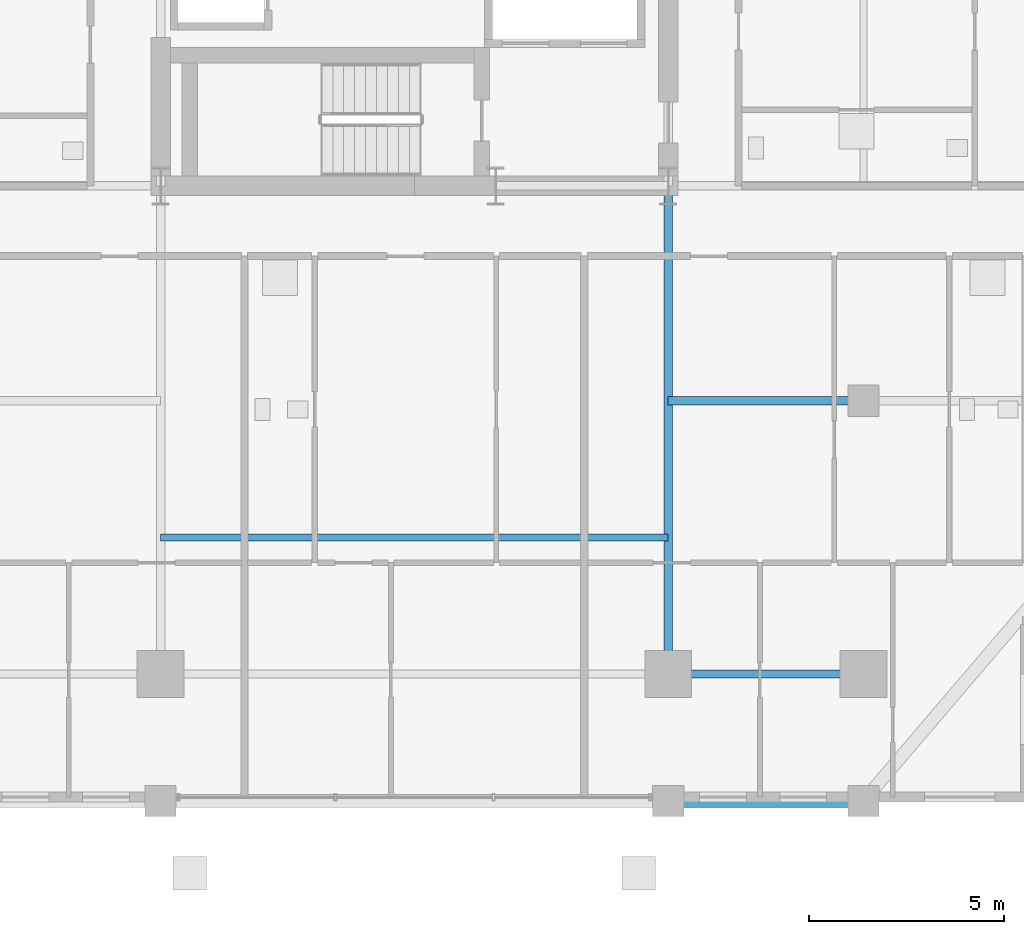
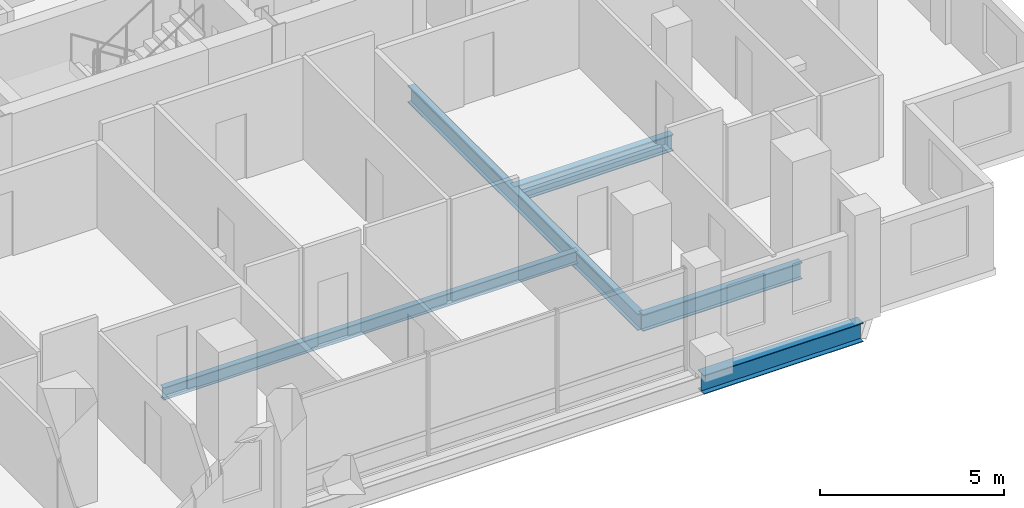
# One storey, part 3 of 20: 5 beams.
"""IFC4 building model written with IfcOpenShell, lengths in metres."""

import ifcopenshell
import ifcopenshell.guid

model = None  # the IFC model being written
_history = None  # IfcOwnerHistory: only IFC2X3 demands one
_inside = {}  # id of a spatial element -> (the spatial element, [elements in it])
_under = {}  # id of a project, library or spatial element -> (it, [spatial elements below it])
_declared = {}  # id of a project -> (the project, [libraries it declares])
_typed = {}  # id of a type object -> (the type object, [elements of that type])
_made_of = {}  # id of a material, layer set ... -> (it, [elements and type objects made of it])


def new_model(schema):
    """Start an empty IFC model of exactly this schema.

    Asked for "IFC4X3", IfcOpenShell would pick the latest addendum, in which some entities
    have other attributes; the version numbers below select the first issue.
    IFC2X3 requires an IfcOwnerHistory on every rooted entity: one is made here for all.
    """
    global model, _history
    if schema == "IFC4X3":
        model = ifcopenshell.file(schema_version=(4, 3, 0, 0))
    else:
        model = ifcopenshell.file(schema=schema)
    _inside.clear()
    _under.clear()
    _declared.clear()
    _typed.clear()
    _made_of.clear()
    _history = None
    if model.schema == "IFC2X3":
        org = make("IfcOrganization", Name="unknown")
        user = make(
            "IfcPersonAndOrganization",
            ThePerson=make("IfcPerson", FamilyName="unknown"),
            TheOrganization=org,
        )
        app = make(
            "IfcApplication",
            ApplicationDeveloper=org,
            Version="unknown",
            ApplicationFullName="unknown",
            ApplicationIdentifier="unknown",
        )
        _history = make(
            "IfcOwnerHistory",
            OwningUser=user,
            OwningApplication=app,
            ChangeAction="ADDED",
            CreationDate=0,
        )
    return model


def make(cls, **values):
    """One entity of the class cls with the attributes given. An attribute that is None is left unset."""
    return model.create_entity(
        cls, **{name: value for name, value in values.items() if value is not None}
    )


def rooted(cls, **values):
    """An entity with a GlobalId (a new one), such as an element, a storey or a relation."""
    return make(cls, GlobalId=ifcopenshell.guid.new(), OwnerHistory=_history, **values)


def si_unit(unit_type, name, prefix=None):
    """IfcSIUnit, for example si_unit("LENGTHUNIT", "METRE", prefix="MILLI")."""
    return make("IfcSIUnit", UnitType=unit_type, Prefix=prefix, Name=name)


def assignment(units):
    """IfcUnitAssignment: the units of a project."""
    return None if units is None else make("IfcUnitAssignment", Units=units)


def point(xyz):
    """IfcCartesianPoint."""
    return None if xyz is None else make("IfcCartesianPoint", Coordinates=xyz)


def direction(xyz):
    """IfcDirection."""
    return None if xyz is None else make("IfcDirection", DirectionRatios=xyz)


def frame(location, z_axis=None, x_axis=None):
    """IfcAxis2Placement3D, a coordinate frame: its origin and axes. An axis left out is left unset."""
    return make(
        "IfcAxis2Placement3D",
        Location=point(location),
        Axis=direction(z_axis),
        RefDirection=direction(x_axis),
    )


def frame_2d(location, x_axis=None):
    """IfcAxis2Placement2D, a coordinate frame in the plane: its origin and x axis."""
    return make(
        "IfcAxis2Placement2D", Location=point(location), RefDirection=direction(x_axis)
    )


def origin():
    """The frame at (0, 0, 0) with its axes left unset."""
    return frame((0.0, 0.0, 0.0))


def origin_2d():
    """The frame at (0, 0) in the plane with its x axis left unset."""
    return frame_2d((0.0, 0.0))


def place(relative_to, where):
    """IfcLocalPlacement: puts the frame where relative to a parent placement (None: the world)."""
    return make(
        "IfcLocalPlacement", PlacementRelTo=relative_to, RelativePlacement=where
    )


def context(
    kind, dimensions, precision=None, world=None, true_north=None, identifier=None
):
    """IfcGeometricRepresentationContext, for example the 3D "Model" context."""
    return make(
        "IfcGeometricRepresentationContext",
        ContextIdentifier=identifier,
        ContextType=kind,
        CoordinateSpaceDimension=dimensions,
        Precision=precision,
        WorldCoordinateSystem=world,
        TrueNorth=true_north,
    )


def subcontext(parent, identifier, kind, view, scale=None):
    """IfcGeometricRepresentationSubContext, for example "Body" below "Model"."""
    return make(
        "IfcGeometricRepresentationSubContext",
        ContextIdentifier=identifier,
        ContextType=kind,
        ParentContext=parent,
        TargetScale=scale,
        TargetView=view,
    )


def project(units=None, contexts=None):
    """IfcProject with its units and contexts."""
    return rooted(
        "IfcProject",
        Name="project",
        RepresentationContexts=contexts,
        UnitsInContext=assignment(units),
    )


def spatial(cls, under=None, at=None, **own):
    """A site, building, storey or space (cls), placed at a placement, below another one or the project."""
    s = rooted(cls, ObjectPlacement=at, **own)
    if under is not None:
        _under.setdefault(under.id(), (under, []))[1].append(s)
    return s


def profile(cls, at=None, kind="AREA", **sizes):
    """A parametric profile (cls). Its sizes go by their IFC names, for example OverallWidth=200.0."""
    return make(cls, ProfileType=kind, Position=at, **sizes)


def i_section(**sizes):
    """IfcIShapeProfileDef."""
    return profile("IfcIShapeProfileDef", **sizes)


def extrude(swept, where, along, depth):
    """IfcExtrudedAreaSolid: the profile swept, set in the frame where, extruded along a direction by depth."""
    return make(
        "IfcExtrudedAreaSolid",
        SweptArea=swept,
        Position=where,
        ExtrudedDirection=direction(along),
        Depth=depth,
    )


def shape(context_of_items, identifier, shape_type, items):
    """IfcShapeRepresentation: the items that make up one representation, for example the "Body"."""
    return make(
        "IfcShapeRepresentation",
        ContextOfItems=context_of_items,
        RepresentationIdentifier=identifier,
        RepresentationType=shape_type,
        Items=items,
    )


def material(Name=None, Category=None):
    """IfcMaterial."""
    return make("IfcMaterial", Name=Name, Category=Category)


def material_profile(
    of_material, cross_section, Name=None, Category=None, Priority=None
):
    """IfcMaterialProfile: a cross section and its material."""
    return make(
        "IfcMaterialProfile",
        Name=Name,
        Material=of_material,
        Profile=cross_section,
        Priority=Priority,
        Category=Category,
    )


def profile_set(profiles, Name=None, composite=None):
    """IfcMaterialProfileSet."""
    return make(
        "IfcMaterialProfileSet",
        Name=Name,
        MaterialProfiles=profiles,
        CompositeProfile=composite,
    )


def made_of(thing, what):
    """Note that an element or type object is made of a material, layer set ...; save() writes the relation."""
    if what is not None:
        _made_of.setdefault(what.id(), (what, []))[1].append(thing)
    return thing


def type_object(cls, material=None, **own):
    """A type object (cls), such as IfcWallType, which elements share."""
    return made_of(rooted(cls, **own), material)


def element(
    cls,
    number,
    at=None,
    inside=None,
    cuts=None,
    type_object=None,
    material=None,
    context=None,
    identifier="Body",
    shape_type=None,
    held_by="IfcProductDefinitionShape",
    body=None,
    shapes=None,
    **own,
):
    """One element of the class cls, such as IfcWall. Its Tag is "e" and its number.

    at: its placement. inside: the storey or other place that contains it. cuts: it is an
    opening in that element (IfcRelVoidsElement). A single representation is given by context,
    identifier, shape_type and body (its items); several are given by shapes. held_by: the class
    of the entity that holds the representations. save() writes the other relations.
    """
    e = rooted(cls, Tag="e%d" % number, ObjectPlacement=at, **own)
    if body is not None:
        shapes = [shape(context, identifier, shape_type, body)]
    if shapes is not None:
        e.Representation = make(held_by, Representations=shapes)
    if inside is not None:
        _inside.setdefault(inside.id(), (inside, []))[1].append(e)
    if cuts is not None:
        rooted(
            "IfcRelVoidsElement", RelatingBuildingElement=cuts, RelatedOpeningElement=e
        )
    if type_object is not None:
        _typed.setdefault(type_object.id(), (type_object, []))[1].append(e)
    return made_of(e, material)


def aggregate(whole, parts):
    """IfcRelAggregates: a whole, such as a stair, and the parts it consists of."""
    return rooted("IfcRelAggregates", RelatingObject=whole, RelatedObjects=parts)


def save(model, path):
    """Write the relations noted so far, then the file.

    IfcRelAggregates (storeys below a building ...), IfcRelContainedInSpatialStructure (elements
    in a storey), IfcRelDefinesByType, IfcRelAssociatesMaterial and IfcRelDeclares: one each for
    every whole, place, type object, material and project.
    """
    for whole, parts in _under.values():
        aggregate(whole, parts)
    for where, things in _inside.values():
        rooted(
            "IfcRelContainedInSpatialStructure",
            RelatedElements=things,
            RelatingStructure=where,
        )
    for kind, things in _typed.values():
        rooted("IfcRelDefinesByType", RelatedObjects=things, RelatingType=kind)
    for what, things in _made_of.values():
        rooted("IfcRelAssociatesMaterial", RelatedObjects=things, RelatingMaterial=what)
    for by, libraries in _declared.values():
        rooted("IfcRelDeclares", RelatingContext=by, RelatedDefinitions=libraries)
    model.write(path)


model = new_model("IFC4")

# Units and contexts
model_context = context("Model", 3, precision=1e-05, world=origin(), true_north=direction((0.0, 1.0)))
body_context = subcontext(model_context, "Body", "Model", "MODEL_VIEW")
ifc_project = project(units=[si_unit("LENGTHUNIT", "METRE"), si_unit("AREAUNIT", "SQUARE_METRE"), si_unit("VOLUMEUNIT", "CUBIC_METRE"), si_unit("PLANEANGLEUNIT", "RADIAN"), si_unit("MASSUNIT", "GRAM", prefix="KILO")], contexts=[model_context])

# Site, building, storey
site_placement = place(None, origin())
site = spatial("IfcSite", under=ifc_project, at=site_placement, CompositionType="ELEMENT")
building_placement = place(site_placement, origin())
building = spatial("IfcBuilding", under=site, at=building_placement, Name="Barlavira Tower and Art Museum", CompositionType="ELEMENT")
storey_placement = place(building_placement, frame((0.0, 0.0, 102.60009765625)))
storey = spatial("IfcBuildingStorey", under=building, at=storey_placement, Name="L25", CompositionType="ELEMENT", Elevation=102.60009765625)

# Beams
ifc_material = material(Name="Steel S355", Category="steel")
ifc_material_profile_1 = material_profile(ifc_material, i_section(OverallWidth=0.327880859375, OverallDepth=0.62890625, WebThickness=0.013916015625, FlangeThickness=0.021484375, at=origin_2d()), Name="W610x174.0")
ifc_profile_set_1 = profile_set([ifc_material_profile_1], Name="Steel S355")
beam_type_1 = type_object("IfcBeamType", Name="Perimeter Spandrel Edge Beam W610x174 Steel S355", PredefinedType="SPANDREL", material=ifc_profile_set_1)
beam_1_placement = place(storey_placement, frame((6.5, -23.25, -0.53466796875), z_axis=(1.0, 0.0, 0.0), x_axis=(0.0, 1.0, 0.0)))
element("IfcBeam", 1, at=beam_1_placement, inside=storey, type_object=beam_type_1, Name="L25 Spandrel 3", PredefinedType="SPANDREL", context=body_context, shape_type="SweptSolid", body=[
    extrude(i_section(OverallWidth=0.327880859375, OverallDepth=0.62890625, WebThickness=0.013916015625, FlangeThickness=0.021484375, at=origin_2d()), origin(), (0.0, 0.0, 1.0), 5.0),
])
ifc_material_profile_2 = material_profile(ifc_material, i_section(OverallWidth=0.214111328125, OverallDepth=0.549072265625, WebThickness=0.0146484375, FlangeThickness=0.023681640625, at=origin_2d()), Name="W530x138.0")
ifc_profile_set_2 = profile_set([ifc_material_profile_2], Name="Steel S355")
beam_type_2 = type_object("IfcBeamType", Name="Zone 1 Primary Floor Girder W530x138 Steel S355", PredefinedType="BEAM", material=ifc_profile_set_2)
beam_2_placement = place(storey_placement, frame((6.5, -20.0, -0.49462890625), z_axis=(1.0, 0.0, 0.0), x_axis=(0.0, 1.0, 0.0)))
element("IfcBeam", 2, at=beam_2_placement, inside=storey, type_object=beam_type_2, Name="L25 Girder M-S3", PredefinedType="BEAM", context=body_context, shape_type="SweptSolid", body=[
    extrude(i_section(OverallWidth=0.214111328125, OverallDepth=0.549072265625, WebThickness=0.0146484375, FlangeThickness=0.023681640625, at=origin_2d()), origin(), (0.0, 0.0, 1.0), 5.0),
])
beam_3_placement = place(storey_placement, frame((6.5, -20.0, -0.49462890625), z_axis=(0.0, 1.0, 0.0), x_axis=(-1.0, 0.0, 0.0)))
element("IfcBeam", 3, at=beam_3_placement, inside=storey, type_object=beam_type_2, Name="L25 Girder R-S2", PredefinedType="BEAM", context=body_context, shape_type="SweptSolid", body=[
    extrude(i_section(OverallWidth=0.214111328125, OverallDepth=0.549072265625, WebThickness=0.0146484375, FlangeThickness=0.023681640625, at=origin_2d()), origin(), (0.0, 0.0, 1.0), 12.5),
])
beam_4_placement = place(storey_placement, frame((6.5, -13.0, -0.49462890625), z_axis=(1.0, 0.0, 0.0), x_axis=(0.0, 1.0, 0.0)))
element("IfcBeam", 4, at=beam_4_placement, inside=storey, type_object=beam_type_2, Name="L25 Girder I-S3", PredefinedType="BEAM", context=body_context, shape_type="SweptSolid", body=[
    extrude(i_section(OverallWidth=0.214111328125, OverallDepth=0.549072265625, WebThickness=0.0146484375, FlangeThickness=0.023681640625, at=origin_2d()), origin(), (0.0, 0.0, 1.0), 5.0),
])
ifc_material_profile_3 = material_profile(ifc_material, i_section(OverallWidth=0.179931640625, OverallDepth=0.4130859375, WebThickness=0.009765625, FlangeThickness=0.01611328125, at=origin_2d()), Name="W410x75.0")
ifc_profile_set_3 = profile_set([ifc_material_profile_3], Name="Steel S355")
beam_type_3 = type_object("IfcBeamType", Name="Zone 2 Composite Floor Joist W410x75 Steel S355", PredefinedType="JOIST", material=ifc_profile_set_3)
beam_5_placement = place(storey_placement, frame((-6.5, -16.5, -0.426513671875), z_axis=(1.0, 0.0, 0.0), x_axis=(0.0, 1.0, 0.0)))
element("IfcBeam", 5, at=beam_5_placement, inside=storey, type_object=beam_type_3, Name="L25 Joist C1", PredefinedType="JOIST", context=body_context, shape_type="SweptSolid", body=[
    extrude(i_section(OverallWidth=0.179931640625, OverallDepth=0.4130859375, WebThickness=0.009765625, FlangeThickness=0.01611328125, at=origin_2d()), origin(), (0.0, 0.0, 1.0), 13.0),
])

save(model, "model.ifc")
